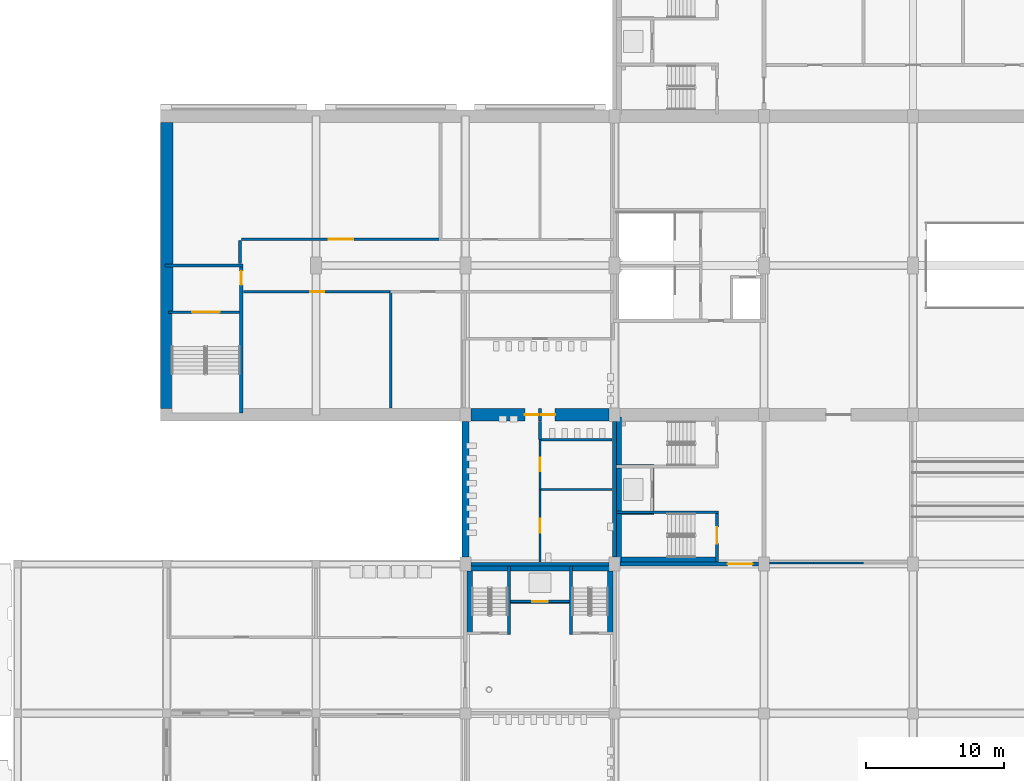
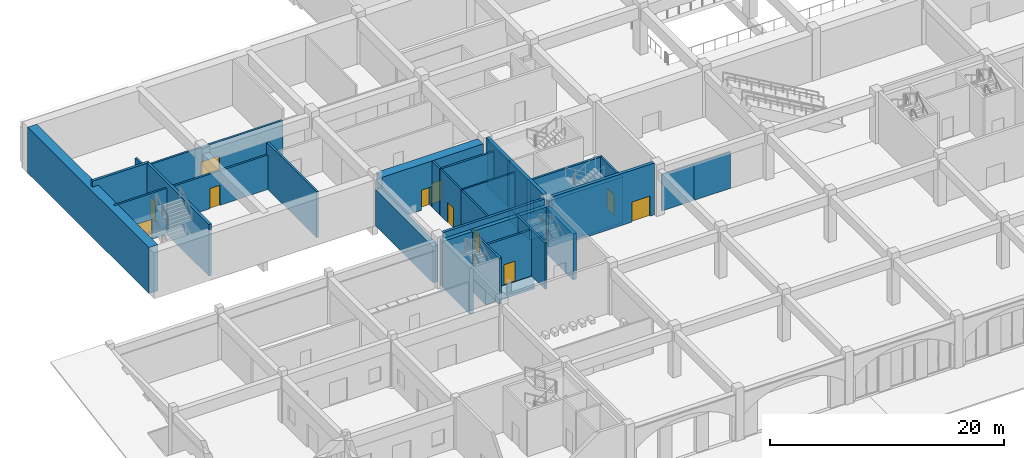
# One storey, part 27 of 101: 36 walls, 11 doors, 11 openings.
"""IFC4 building model written with IfcOpenShell, lengths in metres."""

from ifc_helpers import new_model, si_unit, direction, frame, frame_2d, origin, place, context, subcontext, project, spatial, polyline, rectangle, outline, extrude, material, layer, layer_set, type_object, element, fill, save


model = new_model("IFC4")

# Units and contexts
model_context = context("Model", 3, precision=1e-05, world=origin(), true_north=direction((0.0, 1.0)))
body_context = subcontext(model_context, "Body", "Model", "MODEL_VIEW")
ifc_project = project(units=[si_unit("LENGTHUNIT", "METRE"), si_unit("AREAUNIT", "SQUARE_METRE"), si_unit("VOLUMEUNIT", "CUBIC_METRE"), si_unit("PLANEANGLEUNIT", "RADIAN"), si_unit("MASSUNIT", "GRAM", prefix="KILO")], contexts=[model_context])

# Site, building, storey
site_placement = place(None, origin())
site = spatial("IfcSite", under=ifc_project, at=site_placement, CompositionType="ELEMENT")
building_placement = place(site_placement, origin())
building = spatial("IfcBuilding", under=site, at=building_placement, Name="Magnolia Steps Interchange", CompositionType="ELEMENT")
storey_placement = place(building_placement, frame((0.0, 0.0, -5.39990234375)))
storey = spatial("IfcBuildingStorey", under=building, at=storey_placement, Name="B1", CompositionType="ELEMENT", Elevation=-5.39990234375)

# Wall
ifc_material_1 = material(Name="Concrete C40", Category="concrete")
ifc_layer_1 = layer(ifc_material_1, 0.5)
ifc_layer_set_1 = layer_set([ifc_layer_1], Name="Concrete C40 plinth retaining wall 500")
wall_type_1 = type_object("IfcWallType", Name="Concrete C40 plinth retaining wall 500", PredefinedType="SOLIDWALL", material=ifc_layer_set_1)
wall_1_placement = place(storey_placement, frame((42.39990234375, 42.89990234375, 0.0), z_axis=(0.0, 0.0, 1.0), x_axis=(0.0, 1.0, 0.0)))
element("IfcWall", 1, at=wall_1_placement, inside=storey, type_object=wall_type_1, Name="Concourse west retaining wall", PredefinedType="SOLIDWALL", context=body_context, shape_type="SweptSolid", body=[
    extrude(rectangle(XDim=9.800048828125, YDim=0.5, at=frame_2d((4.89990234375, 0.0))), origin(), (0.0, 0.0, 1.0), 3.7998046875),
])

# Wall, opening, door
ifc_material_2 = material(Name="Concrete C35", Category="concrete")
ifc_layer_2 = layer(ifc_material_2, 0.199951171875)
ifc_layer_set_2 = layer_set([ifc_layer_2], Name="Core enclosure wall 200")
wall_type_2 = type_object("IfcWallType", Name="Core enclosure wall 200", PredefinedType="SOLIDWALL", material=ifc_layer_set_2)
wall_2_placement = place(storey_placement, frame((60.60009765625, 42.550048828125, 0.0), z_axis=(0.0, 0.0, 1.0), x_axis=(0.0, 1.0, 0.0)))
wall_2 = element("IfcWall", 2, at=wall_2_placement, inside=storey, type_object=wall_type_2, Name="B1 HC3 enclosure wall", PredefinedType="SOLIDWALL", context=body_context, shape_type="SweptSolid", body=[
    extrude(rectangle(XDim=3.5, YDim=0.199951171875, at=frame_2d((1.75, 0.0))), origin(), (0.0, 0.0, 1.0), 4.7998046875),
])
opening_1_placement = place(wall_2_placement, frame((1.324951171875, 0.0, 0.0)))
opening_1 = element("IfcOpeningElement", 3, at=opening_1_placement, cuts=wall_2, Name="Opening D-HC3-B1-1", PredefinedType="OPENING", context=body_context, shape_type="SweptSolid", body=[
    extrude(rectangle(XDim=1.199951171875, YDim=2.10009765625, at=frame_2d((0.60009765625, 1.050048828125))), frame((0.0, 0.10986328125, 0.0), z_axis=(0.0, -1.0, 0.0), x_axis=(1.0, 0.0, 0.0)), (0.0, 0.0, 1.0), 0.219970703125),
])
ifc_material_3 = material(Name="Painted steel", Category="steel")
door_type_1 = type_object("IfcDoorType", Name="Stair fire door 1200x2100", OperationType="NOTDEFINED", PredefinedType="DOOR", material=ifc_material_3)
door_1_placement = place(opening_1_placement, frame((1.199951171875, 0.0, 0.0), z_axis=(0.0, 0.0, 1.0), x_axis=(-1.0, 0.0, 0.0)))
door_1 = element("IfcDoor", 4, at=door_1_placement, inside=storey, type_object=door_type_1, Name="Stair door ST5 B1", OperationType="SINGLE_SWING_LEFT", OverallHeight=2.10009765625, OverallWidth=1.199951171875, PredefinedType="DOOR", context=body_context, shape_type="SweptSolid", body=[
    extrude(rectangle(XDim=1.199951171875, YDim=2.10009765625, at=frame_2d((0.60009765625, 1.050048828125))), frame((0.0, 0.02490234375, 0.0), z_axis=(0.0, -1.0, 0.0), x_axis=(1.0, 0.0, 0.0)), (0.0, 0.0, 1.0), 0.050048828125),
])
fill(opening_1, door_1)

# Wall
wall_3_placement = place(storey_placement, frame((60.699951171875, 46.14990234375, 0.0), z_axis=(0.0, 0.0, 1.0), x_axis=(-1.0, 0.0, 0.0)))
element("IfcWall", 5, at=wall_3_placement, inside=storey, type_object=wall_type_2, Name="B1 HC3 enclosure wall", PredefinedType="SOLIDWALL", context=body_context, shape_type="SweptSolid", body=[
    extrude(rectangle(XDim=7.349853515625, YDim=0.199951171875, at=frame_2d((3.6748046875, 0.0))), origin(), (0.0, 0.0, 1.0), 4.7998046875),
])

# Wall, opening, door
wall_4_placement = place(storey_placement, frame((26.074951171875, 60.625, 0.0), z_axis=(0.0, 0.0, 1.0), x_axis=(-1.0, 0.0, 0.0)))
wall_4 = element("IfcWall", 6, at=wall_4_placement, inside=storey, type_object=wall_type_2, Name="B1 BE-W enclosure wall", PredefinedType="SOLIDWALL", context=body_context, shape_type="SweptSolid", body=[
    extrude(rectangle(XDim=5.14990234375, YDim=0.199951171875, at=frame_2d((2.574951171875, 0.0))), origin(), (0.0, 0.0, 1.0), 4.7998046875),
])
opening_2_placement = place(wall_4_placement, frame((1.449951171875, 0.0, 0.0)))
opening_2 = element("IfcOpeningElement", 7, at=opening_2_placement, cuts=wall_4, Name="Opening D-BE-W-B1-1", PredefinedType="OPENING", context=body_context, shape_type="SweptSolid", body=[
    extrude(rectangle(XDim=2.0, YDim=2.10009765625, at=frame_2d((1.0, 1.050048828125))), frame((0.0, 0.10986328125, 0.0), z_axis=(0.0, -1.0, 0.0), x_axis=(1.0, 0.0, 0.0)), (0.0, 0.0, 1.0), 0.219970703125),
])
ifc_material_4 = material(Name="Painted steel", Category="steel")
door_type_2 = type_object("IfcDoorType", Name="Stair fire door pair 2000x2100", OperationType="DOUBLE_DOOR_DOUBLE_SWING", PredefinedType="DOOR", material=ifc_material_4)
door_2_placement = place(opening_2_placement, frame((2.0, 0.0, 0.0), z_axis=(0.0, 0.0, 1.0), x_axis=(-1.0, 0.0, 0.0)))
door_2 = element("IfcDoor", 8, at=door_2_placement, inside=storey, type_object=door_type_2, Name="Stair door ST15 B1", OperationType="DOUBLE_DOOR_DOUBLE_SWING", OverallHeight=2.10009765625, OverallWidth=2.0, PredefinedType="DOOR", context=body_context, shape_type="SweptSolid", body=[
    extrude(rectangle(XDim=2.0, YDim=2.10009765625, at=frame_2d((1.0, 1.050048828125))), frame((0.0, 0.02490234375, 0.0), z_axis=(0.0, -1.0, 0.0), x_axis=(1.0, 0.0, 0.0)), (0.0, 0.0, 1.0), 0.050048828125),
])
fill(opening_2, door_2)

# Wall
wall_5_placement = place(storey_placement, frame((45.550048828125, 37.300048828125, 0.0), z_axis=(0.0, 0.0, 1.0), x_axis=(0.0, 1.0, 0.0)))
element("IfcWall", 9, at=wall_5_placement, inside=storey, type_object=wall_type_2, Name="B1 BC1 enclosure wall", PredefinedType="SOLIDWALL", context=body_context, shape_type="SweptSolid", body=[
    extrude(rectangle(XDim=4.974853515625, YDim=0.199951171875, at=frame_2d((2.4873046875, 0.0))), origin(), (0.0, 0.0, 1.0), 4.7998046875),
])

# Wall, opening, door
wall_6_placement = place(storey_placement, frame((45.64990234375, 39.699951171875, 0.0), z_axis=(0.0, 0.0, 1.0), x_axis=(1.0, 0.0, 0.0)))
wall_6 = element("IfcWall", 10, at=wall_6_placement, inside=storey, type_object=wall_type_2, Name="B1 BC1 enclosure wall", PredefinedType="SOLIDWALL", context=body_context, shape_type="SweptSolid", body=[
    extrude(rectangle(XDim=4.300048828125, YDim=0.199951171875, at=frame_2d((2.14990234375, 0.0))), origin(), (0.0, 0.0, 1.0), 4.7998046875),
])
opening_3_placement = place(wall_6_placement, frame((1.60009765625, 0.0, 0.0)))
opening_3 = element("IfcOpeningElement", 11, at=opening_3_placement, cuts=wall_6, Name="Opening LD", PredefinedType="OPENING", context=body_context, shape_type="SweptSolid", body=[
    extrude(rectangle(XDim=1.10009765625, YDim=2.10009765625, at=frame_2d((0.550048828125, 1.050048828125))), frame((0.0, 0.10986328125, 0.0), z_axis=(0.0, -1.0, 0.0), x_axis=(1.0, 0.0, 0.0)), (0.0, 0.0, 1.0), 0.219970703125),
])
ifc_material_5 = material(Name="Stainless steel grade 304", Category="steel")
door_type_3 = type_object("IfcDoorType", Name="Lift landing door 1100x2100", OperationType="DOUBLE_DOOR_SLIDING", PredefinedType="DOOR", material=ifc_material_5)
door_3_placement = place(opening_3_placement, frame((1.10009765625, 0.0, 0.0), z_axis=(0.0, 0.0, 1.0), x_axis=(-1.0, 0.0, 0.0)))
door_3 = element("IfcDoor", 12, at=door_3_placement, inside=storey, type_object=door_type_3, Name="Lift landing door LF8 B1", OperationType="DOUBLE_DOOR_SLIDING", OverallHeight=2.10009765625, OverallWidth=1.10009765625, PredefinedType="DOOR", context=body_context, shape_type="SweptSolid", body=[
    extrude(rectangle(XDim=1.10009765625, YDim=2.10009765625, at=frame_2d((0.550048828125, 1.050048828125))), frame((0.0, 0.02490234375, 0.0), z_axis=(0.0, -1.0, 0.0), x_axis=(1.0, 0.0, 0.0)), (0.0, 0.0, 1.0), 0.050048828125),
])
fill(opening_3, door_3)

# Walls
wall_7_placement = place(storey_placement, frame((50.050048828125, 37.300048828125, 0.0), z_axis=(0.0, 0.0, 1.0), x_axis=(0.0, 1.0, 0.0)))
element("IfcWall", 13, at=wall_7_placement, inside=storey, type_object=wall_type_2, Name="B1 BC1 enclosure wall", PredefinedType="SOLIDWALL", context=body_context, shape_type="SweptSolid", body=[
    extrude(rectangle(XDim=4.974853515625, YDim=0.199951171875, at=frame_2d((2.4873046875, 0.0))), origin(), (0.0, 0.0, 1.0), 4.7998046875),
])
ifc_material_6 = material(Name="Concrete C35", Category="concrete")
ifc_layer_3 = layer(ifc_material_6, 0.35009765625)
ifc_layer_set_3 = layer_set([ifc_layer_3], Name="Core lining wall 350")
wall_type_3 = type_object("IfcWallType", Name="Core lining wall 350", PredefinedType="SOLIDWALL", material=ifc_layer_set_3)
wall_8_placement = place(storey_placement, frame((60.699951171875, 42.72509765625, 0.0), z_axis=(0.0, 0.0, 1.0), x_axis=(-1.0, 0.0, 0.0)))
element("IfcWall", 14, at=wall_8_placement, inside=storey, type_object=wall_type_3, Name="B1 HC3 stair lining wall", PredefinedType="SOLIDWALL", context=body_context, shape_type="SweptSolid", body=[
    extrude(rectangle(XDim=7.349853515625, YDim=0.35009765625, at=frame_2d((3.6748046875, 0.0))), origin(), (0.0, 0.0, 1.0), 4.7998046875),
])
for number, where, z_axis, x_axis, name in (
    (15, (53.52490234375, 42.550048828125, 0.0), (0.0, 0.0, 1.0), (0.0, 1.0, 0.0), "B1 HC3 stair lining wall"),
    (16, (53.52490234375, 49.550048828125, 0.0), (0.0, 0.0, 1.0), (0.0, 1.0, 0.0), "B1 HC3 stair lining wall"),
):
    element("IfcWall", number, at=place(storey_placement, frame(where, z_axis=z_axis, x_axis=x_axis)), inside=storey, type_object=wall_type_3, Name=name, PredefinedType="SOLIDWALL", context=body_context, shape_type="SweptSolid", body=[
        extrude(rectangle(XDim=3.5, YDim=0.35009765625, at=frame_2d((1.75, 0.0))), origin(), (0.0, 0.0, 1.0), 4.7998046875),
    ])
wall_9_placement = place(storey_placement, frame((53.52490234375, 46.25, 0.0), z_axis=(0.0, 0.0, 1.0), x_axis=(0.0, 1.0, 0.0)))
element("IfcWall", 17, at=wall_9_placement, inside=storey, type_object=wall_type_3, Name="B1 HC3 stair lining wall", PredefinedType="SOLIDWALL", context=body_context, shape_type="SweptSolid", body=[
    extrude(rectangle(XDim=3.10009765625, YDim=0.35009765625, at=frame_2d((1.550048828125, 0.0))), origin(), (0.0, 0.0, 1.0), 4.7998046875),
])
ifc_material_7 = material(Name="Concrete C35", Category="concrete")
ifc_layer_4 = layer(ifc_material_7, 0.375)
ifc_layer_set_4 = layer_set([ifc_layer_4], Name="Core lining wall 375")
wall_type_4 = type_object("IfcWallType", Name="Core lining wall 375", PredefinedType="SOLIDWALL", material=ifc_layer_set_4)
wall_10_placement = place(storey_placement, frame((42.71240234375, 37.300048828125, 0.0), z_axis=(0.0, 0.0, 1.0), x_axis=(0.0, 1.0, 0.0)))
element("IfcWall", 18, at=wall_10_placement, inside=storey, type_object=wall_type_4, Name="B1 BC1 stair lining wall", PredefinedType="SOLIDWALL", context=body_context, shape_type="SweptSolid", body=[
    extrude(rectangle(XDim=4.974853515625, YDim=0.375, at=frame_2d((2.4873046875, 0.0))), origin(), (0.0, 0.0, 1.0), 4.7998046875),
])
wall_11_placement = place(storey_placement, frame((42.52490234375, 42.08740234375, 0.0), z_axis=(0.0, 0.0, 1.0), x_axis=(1.0, 0.0, 0.0)))
element("IfcWall", 19, at=wall_11_placement, inside=storey, type_object=wall_type_4, Name="B1 BC1 stair lining wall", PredefinedType="SOLIDWALL", context=body_context, shape_type="SweptSolid", body=[
    extrude(rectangle(XDim=2.925048828125, YDim=0.375, at=frame_2d((1.46240234375, 0.0))), origin(), (0.0, 0.0, 1.0), 4.7998046875),
])
wall_12_placement = place(storey_placement, frame((52.887451171875, 37.300048828125, 0.0), z_axis=(0.0, 0.0, 1.0), x_axis=(0.0, 1.0, 0.0)))
element("IfcWall", 20, at=wall_12_placement, inside=storey, type_object=wall_type_4, Name="B1 BC1 stair lining wall", PredefinedType="SOLIDWALL", context=body_context, shape_type="SweptSolid", body=[
    extrude(rectangle(XDim=4.974853515625, YDim=0.375, at=frame_2d((2.4873046875, 0.0))), origin(), (0.0, 0.0, 1.0), 4.7998046875),
])
wall_13_placement = place(storey_placement, frame((50.14990234375, 42.08740234375, 0.0), z_axis=(0.0, 0.0, 1.0), x_axis=(1.0, 0.0, 0.0)))
element("IfcWall", 21, at=wall_13_placement, inside=storey, type_object=wall_type_4, Name="B1 BC1 stair lining wall", PredefinedType="SOLIDWALL", context=body_context, shape_type="SweptSolid", body=[
    extrude(rectangle(XDim=2.925048828125, YDim=0.375, at=frame_2d((1.46240234375, 0.0))), origin(), (0.0, 0.0, 1.0), 4.7998046875),
])
wall_14_placement = place(storey_placement, frame((45.64990234375, 42.08740234375, 0.0), z_axis=(0.0, 0.0, 1.0), x_axis=(1.0, 0.0, 0.0)))
element("IfcWall", 22, at=wall_14_placement, inside=storey, type_object=wall_type_4, Name="B1 BC1 stair lining wall", PredefinedType="SOLIDWALL", context=body_context, shape_type="SweptSolid", body=[
    extrude(rectangle(XDim=4.300048828125, YDim=0.375, at=frame_2d((2.14990234375, 0.0))), origin(), (0.0, 0.0, 1.0), 4.7998046875),
])

# Wall, opening, door
ifc_material_8 = material(Name="Concrete C40", Category="concrete")
ifc_layer_5 = layer(ifc_material_8, 0.25)
ifc_layer_set_5 = layer_set([ifc_layer_5], Name="Core wall 250")
wall_type_5 = type_object("IfcWallType", Name="Core wall 250", PredefinedType="SOLIDWALL", material=ifc_layer_set_5)
wall_15_placement = place(storey_placement, frame((26.199951171875, 53.324951171875, 0.0), z_axis=(0.0, 0.0, 1.0), x_axis=(0.0, 1.0, 0.0)))
wall_15 = element("IfcWall", 23, at=wall_15_placement, inside=storey, type_object=wall_type_5, Name="Core wall BE-W", PredefinedType="SOLIDWALL", context=body_context, shape_type="SweptSolid", body=[
    extrude(rectangle(XDim=10.550048828125, YDim=0.25, at=frame_2d((5.27490234375, 0.0))), origin(), (0.0, 0.0, 1.0), 5.39990234375),
])
opening_4_placement = place(wall_15_placement, frame((9.27490234375, 0.0, 0.0)))
opening_4 = element("IfcOpeningElement", 24, at=opening_4_placement, cuts=wall_15, Name="Opening D-BE-W-B1-2", PredefinedType="OPENING", context=body_context, shape_type="SweptSolid", body=[
    extrude(rectangle(XDim=1.0, YDim=2.10009765625, at=frame_2d((0.5, 1.050048828125))), frame((0.0, 0.135009765625, 0.0), z_axis=(0.0, -1.0, 0.0), x_axis=(1.0, 0.0, 0.0)), (0.0, 0.0, 1.0), 0.27001953125),
])
ifc_material_9 = material(Name="Timber and glass", Category="wood")
door_type_4 = type_object("IfcDoorType", Name="Core entrance door 1000x2100", OperationType="NOTDEFINED", PredefinedType="DOOR", material=ifc_material_9)
door_4_placement = place(opening_4_placement, frame((1.0, 0.0, 0.0), z_axis=(0.0, 0.0, 1.0), x_axis=(-1.0, 0.0, 0.0)))
door_4 = element("IfcDoor", 25, at=door_4_placement, inside=storey, type_object=door_type_4, Name="Core entrance door BE-W B1", OperationType="SINGLE_SWING_LEFT", OverallHeight=2.10009765625, OverallWidth=1.0, PredefinedType="DOOR", context=body_context, shape_type="SweptSolid", body=[
    extrude(rectangle(XDim=1.0, YDim=2.10009765625, at=frame_2d((0.5, 1.050048828125))), frame((0.0, 0.02490234375, 0.0), z_axis=(0.0, -1.0, 0.0), x_axis=(1.0, 0.0, 0.0)), (0.0, 0.0, 1.0), 0.050048828125),
])
fill(opening_4, door_4)

# Walls
wall_16_placement = place(storey_placement, frame((26.324951171875, 64.0, 0.0), z_axis=(0.0, 0.0, 1.0), x_axis=(-1.0, 0.0, 0.0)))
element("IfcWall", 26, at=wall_16_placement, inside=storey, type_object=wall_type_5, Name="Core wall BE-W", PredefinedType="SOLIDWALL", context=body_context, shape_type="SweptSolid", body=[
    extrude(rectangle(XDim=5.64990234375, YDim=0.25, at=frame_2d((2.824951171875, 0.0))), origin(), (0.0, 0.0, 1.0), 5.39990234375),
])
wall_17_placement = place(storey_placement, frame((52.800048828125, 42.39990234375, 0.0), z_axis=(0.0, 0.0, 1.0), x_axis=(-1.0, 0.0, 0.0)))
element("IfcWall", 27, at=wall_17_placement, inside=storey, type_object=wall_type_5, Name="Core wall BC1", PredefinedType="SOLIDWALL", context=body_context, shape_type="SweptSolid", body=[
    extrude(rectangle(XDim=10.0, YDim=0.25, at=frame_2d((5.0, 0.0))), origin(), (0.0, 0.0, 1.0), 5.39990234375),
])

# Wall, opening, door
ifc_material_10 = material(Name="Concrete C40", Category="concrete")
ifc_layer_6 = layer(ifc_material_10, 0.300048828125)
ifc_layer_set_6 = layer_set([ifc_layer_6], Name="Core wall 300")
wall_type_6 = type_object("IfcWallType", Name="Core wall 300", PredefinedType="SOLIDWALL", material=ifc_layer_set_6)
wall_18_placement = place(storey_placement, frame((53.60009765625, 42.39990234375, 0.0), z_axis=(0.0, 0.0, 1.0), x_axis=(1.0, 0.0, 0.0)))
wall_18 = element("IfcWall", 28, at=wall_18_placement, inside=storey, type_object=wall_type_6, Name="Core wall HC3", PredefinedType="SOLIDWALL", context=body_context, shape_type="SweptSolid", body=[
    extrude(rectangle(XDim=10.0, YDim=0.300048828125, at=frame_2d((5.0, 0.0))), origin(), (0.0, 0.0, 1.0), 5.39990234375),
])
opening_5_placement = place(wall_18_placement, frame((7.77490234375, 0.0, 0.0)))
opening_5 = element("IfcOpeningElement", 29, at=opening_5_placement, cuts=wall_18, Name="Opening D-HC3-B1-3", PredefinedType="OPENING", context=body_context, shape_type="SweptSolid", body=[
    extrude(rectangle(XDim=1.800048828125, YDim=2.10009765625, at=frame_2d((0.89990234375, 1.050048828125))), frame((0.0, 0.159912109375, 0.0), z_axis=(0.0, -1.0, 0.0), x_axis=(1.0, 0.0, 0.0)), (0.0, 0.0, 1.0), 0.320068359375),
])
ifc_material_11 = material(Name="Timber and glass", Category="wood")
door_type_5 = type_object("IfcDoorType", Name="Core entrance door pair 1800x2100", OperationType="DOUBLE_DOOR_DOUBLE_SWING", PredefinedType="DOOR", material=ifc_material_11)
door_5_placement = place(opening_5_placement, frame((1.800048828125, 0.0, 0.0), z_axis=(0.0, 0.0, 1.0), x_axis=(-1.0, 0.0, 0.0)))
door_5 = element("IfcDoor", 30, at=door_5_placement, inside=storey, type_object=door_type_5, Name="Core entrance door HC3 B1", OperationType="DOUBLE_DOOR_DOUBLE_SWING", OverallHeight=2.10009765625, OverallWidth=1.800048828125, PredefinedType="DOOR", context=body_context, shape_type="SweptSolid", body=[
    extrude(rectangle(XDim=1.800048828125, YDim=2.10009765625, at=frame_2d((0.89990234375, 1.050048828125))), frame((0.0, 0.02490234375, 0.0), z_axis=(0.0, -1.0, 0.0), x_axis=(1.0, 0.0, 0.0)), (0.0, 0.0, 1.0), 0.050048828125),
])
fill(opening_5, door_5)

# Wall
wall_19_placement = place(storey_placement, frame((53.199951171875, 52.699951171875, 0.0), z_axis=(0.0, 0.0, 1.0), x_axis=(0.0, -1.0, 0.0)))
element("IfcWall", 31, at=wall_19_placement, inside=storey, type_object=wall_type_6, Name="Core wall HC3", PredefinedType="SOLIDWALL", context=body_context, shape_type="SweptSolid", body=[
    extrude(rectangle(XDim=9.800048828125, YDim=0.300048828125, at=frame_2d((4.89990234375, 0.0))), origin(), (0.0, 0.0, 1.0), 5.39990234375),
])

# Wall, openings, doors
ifc_material_12 = material(Name="Concrete C40", Category="concrete")
ifc_layer_7 = layer(ifc_material_12, 0.89990234375)
ifc_layer_set_7 = layer_set([ifc_layer_7], Name="Diaphragm wall 900")
wall_type_7 = type_object("IfcWallType", Name="Diaphragm wall 900", PredefinedType="SOLIDWALL", material=ifc_layer_set_7)
wall_20_placement = place(storey_placement, frame((42.800048828125, 53.199951171875, 0.0), z_axis=(0.0, 0.0, 1.0), x_axis=(1.0, 0.0, 0.0)))
wall_20 = element("IfcWall", 32, at=wall_20_placement, inside=storey, type_object=wall_type_7, Name="Metro box wall S", PredefinedType="SOLIDWALL", context=body_context, shape_type="SweptSolid", body=[
    extrude(rectangle(XDim=10.0, YDim=0.89990234375, at=frame_2d((5.0, 0.0))), origin(), (0.0, 0.0, 1.0), 4.7998046875),
])
opening_6_placement = place(wall_20_placement, frame((3.89990234375, 0.0, 0.0)))
opening_6 = element("IfcOpeningElement", 33, at=opening_6_placement, cuts=wall_20, Name="Opening D-B1-12", PredefinedType="OPENING", context=body_context, shape_type="SweptSolid", body=[
    extrude(rectangle(XDim=1.0, YDim=2.10009765625, at=frame_2d((0.5, 1.050048828125))), frame((0.0, 0.4599609375, 0.0), z_axis=(0.0, -1.0, 0.0), x_axis=(1.0, 0.0, 0.0)), (0.0, 0.0, 1.0), 0.919921875),
])
opening_7_placement = place(wall_20_placement, frame((5.10009765625, 0.0, 0.0)))
opening_7 = element("IfcOpeningElement", 34, at=opening_7_placement, cuts=wall_20, Name="Opening D-B1-15", PredefinedType="OPENING", context=body_context, shape_type="SweptSolid", body=[
    extrude(rectangle(XDim=1.0, YDim=2.10009765625, at=frame_2d((0.5, 1.050048828125))), frame((0.0, 0.4599609375, 0.0), z_axis=(0.0, -1.0, 0.0), x_axis=(1.0, 0.0, 0.0)), (0.0, 0.0, 1.0), 0.919921875),
])
ifc_material_13 = material(Name="Painted steel", Category="steel")
door_type_6 = type_object("IfcDoorType", Name="Plant room door 1000x2100", OperationType="NOTDEFINED", PredefinedType="DOOR", material=ifc_material_13)
door_6_placement = place(opening_7_placement, frame((1.0, 0.0, 0.0), z_axis=(0.0, 0.0, 1.0), x_axis=(-1.0, 0.0, 0.0)))
door_6 = element("IfcDoor", 35, at=door_6_placement, inside=storey, type_object=door_type_6, Name="Toilet Cleaners' Store door", OperationType="SINGLE_SWING_LEFT", OverallHeight=2.10009765625, OverallWidth=1.0, PredefinedType="DOOR", context=body_context, shape_type="SweptSolid", body=[
    extrude(rectangle(XDim=1.0, YDim=2.10009765625, at=frame_2d((0.5, 1.050048828125))), frame((0.0, 0.02490234375, 0.0), z_axis=(0.0, -1.0, 0.0), x_axis=(1.0, 0.0, 0.0)), (0.0, 0.0, 1.0), 0.050048828125),
])
fill(opening_7, door_6)
ifc_material_14 = material(Name="Timber", Category="wood")
door_type_7 = type_object("IfcDoorType", Name="Room door 1000x2100", OperationType="NOTDEFINED", PredefinedType="DOOR", material=ifc_material_14)
door_7_placement = place(opening_6_placement, frame((1.0, 0.0, 0.0), z_axis=(0.0, 0.0, 1.0), x_axis=(-1.0, 0.0, 0.0)))
door_7 = element("IfcDoor", 36, at=door_7_placement, inside=storey, type_object=door_type_7, Name="Public Toilets door", OperationType="SINGLE_SWING_RIGHT", OverallHeight=2.10009765625, OverallWidth=1.0, PredefinedType="DOOR", context=body_context, shape_type="SweptSolid", body=[
    extrude(rectangle(XDim=1.0, YDim=2.10009765625, at=frame_2d((0.5, 1.050048828125))), frame((0.0, 0.02490234375, 0.0), z_axis=(0.0, -1.0, 0.0), x_axis=(1.0, 0.0, 0.0)), (0.0, 0.0, 1.0), 0.050048828125),
])
fill(opening_6, door_7)

# Wall
wall_21_placement = place(storey_placement, frame((20.800048828125, 74.35009765625, 0.0), z_axis=(0.0, 0.0, 1.0), x_axis=(0.0, -1.0, 0.0)))
element("IfcWall", 37, at=wall_21_placement, inside=storey, type_object=wall_type_7, Name="Metro box wall W", PredefinedType="SOLIDWALL", context=body_context, shape_type="SweptSolid", body=[
    extrude(rectangle(XDim=20.7001953125, YDim=0.89990234375, at=frame_2d((10.35009765625, 0.0))), origin(), (0.0, 0.0, 1.0), 4.7998046875),
])

# Wall, opening, door
ifc_material_15 = material(Name="Fair-faced blockwork", Category="masonry")
ifc_layer_8 = layer(ifc_material_15, 0.199951171875)
ifc_layer_set_8 = layer_set([ifc_layer_8], Name="Fire partition wall 200")
wall_type_8 = type_object("IfcWallType", Name="Fire partition wall 200", PredefinedType="PARTITIONING", material=ifc_layer_set_8)
wall_22_placement = place(storey_placement, frame((26.35498046875, 62.10009765625, 0.0), z_axis=(0.0, 0.0, 1.0), x_axis=(1.0, 0.0, 0.0)))
wall_22 = element("IfcWall", 38, at=wall_22_placement, inside=storey, type_object=wall_type_8, Name="B1 partition 2", PredefinedType="PARTITIONING", context=body_context, shape_type="SweptSolid", body=[
    extrude(rectangle(XDim=10.64501953125, YDim=0.199951171875, at=frame_2d((5.322509765625, 0.0))), origin(), (0.0, 0.0, 1.0), 3.599853515625),
])
opening_8_placement = place(wall_22_placement, frame((4.822509765625, 0.0, 0.0)))
opening_8 = element("IfcOpeningElement", 39, at=opening_8_placement, cuts=wall_22, Name="Opening D-B1-1", PredefinedType="OPENING", context=body_context, shape_type="SweptSolid", body=[
    extrude(rectangle(XDim=1.0, YDim=2.10009765625, at=frame_2d((0.5, 1.050048828125))), frame((0.0, 0.10986328125, 0.0), z_axis=(0.0, -1.0, 0.0), x_axis=(1.0, 0.0, 0.0)), (0.0, 0.0, 1.0), 0.219970703125),
])
door_8_placement = place(opening_8_placement, frame((1.0, 0.0, 0.0), z_axis=(0.0, 0.0, 1.0), x_axis=(-1.0, 0.0, 0.0)))
door_8 = element("IfcDoor", 40, at=door_8_placement, inside=storey, type_object=door_type_6, Name="Fare Equipment Room door", OperationType="SINGLE_SWING_LEFT", OverallHeight=2.10009765625, OverallWidth=1.0, PredefinedType="DOOR", context=body_context, shape_type="SweptSolid", body=[
    extrude(rectangle(XDim=1.0, YDim=2.10009765625, at=frame_2d((0.5, 1.050048828125))), frame((0.0, 0.02490234375, 0.0), z_axis=(0.0, -1.0, 0.0), x_axis=(1.0, 0.0, 0.0)), (0.0, 0.0, 1.0), 0.050048828125),
])
fill(opening_8, door_8)

# Wall
wall_23_placement = place(storey_placement, frame((26.10009765625, 64.155029296875, 0.0), z_axis=(0.0, 0.0, 1.0), x_axis=(0.0, 1.0, 0.0)))
element("IfcWall", 41, at=wall_23_placement, inside=storey, type_object=wall_type_8, Name="B1 partition 4", PredefinedType="PARTITIONING", context=body_context, shape_type="SweptSolid", body=[
    extrude(rectangle(XDim=1.64501953125, YDim=0.199951171875, at=frame_2d((0.822509765625, 0.0))), origin(), (0.0, 0.0, 1.0), 4.7998046875),
])

# Wall, opening, door
wall_24_placement = place(storey_placement, frame((26.199951171875, 65.89990234375, 0.0), z_axis=(0.0, 0.0, 1.0), x_axis=(1.0, 0.0, 0.0)))
wall_24 = element("IfcWall", 42, at=wall_24_placement, inside=storey, type_object=wall_type_8, Name="B1 partition 5", PredefinedType="PARTITIONING", context=body_context, shape_type="SweptSolid", body=[
    extrude(rectangle(XDim=14.400146484375, YDim=0.199951171875, at=frame_2d((7.2001953125, 0.0))), origin(), (0.0, 0.0, 1.0), 3.599853515625),
])
opening_9_placement = place(wall_24_placement, frame((6.300048828125, 0.0, 0.0)))
opening_9 = element("IfcOpeningElement", 43, at=opening_9_placement, cuts=wall_24, Name="Opening D-B1-4", PredefinedType="OPENING", context=body_context, shape_type="SweptSolid", body=[
    extrude(rectangle(XDim=1.800048828125, YDim=2.10009765625, at=frame_2d((0.89990234375, 1.050048828125))), frame((0.0, 0.10986328125, 0.0), z_axis=(0.0, -1.0, 0.0), x_axis=(1.0, 0.0, 0.0)), (0.0, 0.0, 1.0), 0.219970703125),
])
ifc_material_16 = material(Name="Painted steel", Category="steel")
door_type_8 = type_object("IfcDoorType", Name="Plant room door pair 1800x2100", OperationType="DOUBLE_DOOR_DOUBLE_SWING", PredefinedType="DOOR", material=ifc_material_16)
door_9_placement = place(opening_9_placement, origin())
door_9 = element("IfcDoor", 44, at=door_9_placement, inside=storey, type_object=door_type_8, Name="Station Control Room door", OperationType="DOUBLE_DOOR_DOUBLE_SWING", OverallHeight=2.10009765625, OverallWidth=1.800048828125, PredefinedType="DOOR", context=body_context, shape_type="SweptSolid", body=[
    extrude(rectangle(XDim=1.800048828125, YDim=2.10009765625, at=frame_2d((0.89990234375, 1.050048828125))), frame((0.0, 0.02490234375, 0.0), z_axis=(0.0, -1.0, 0.0), x_axis=(1.0, 0.0, 0.0)), (0.0, 0.0, 1.0), 0.050048828125),
])
fill(opening_9, door_9)

# Walls
wall_25_placement = place(storey_placement, frame((37.0, 53.679931640625, 0.0), z_axis=(0.0, 0.0, 1.0), x_axis=(0.0, 1.0, 0.0)))
element("IfcWall", 45, at=wall_25_placement, inside=storey, type_object=wall_type_8, Name="B1 partition 8", PredefinedType="PARTITIONING", context=body_context, shape_type="SweptSolid", body=[
    extrude(rectangle(XDim=8.52001953125, YDim=0.199951171875, at=frame_2d((4.260009765625, 0.0))), origin(), (0.0, 0.0, 1.0), 4.7998046875),
])
wall_26_placement = place(storey_placement, frame((47.800048828125, 51.39990234375, 0.0), z_axis=(0.0, 0.0, 1.0), x_axis=(0.0, 1.0, 0.0)))
element("IfcWall", 46, at=wall_26_placement, inside=storey, type_object=wall_type_8, Name="B1 partition 29", PredefinedType="PARTITIONING", context=body_context, shape_type="SweptSolid", body=[
    extrude(rectangle(XDim=1.320068359375, YDim=0.199951171875, at=frame_2d((0.66015625, 0.0))), origin(), (0.0, 0.0, 1.0), 4.7998046875),
])
wall_27_placement = place(storey_placement, frame((47.800048828125, 51.39990234375, 0.0), z_axis=(0.0, 0.0, 1.0), x_axis=(1.0, 0.0, 0.0)))
element("IfcWall", 47, at=wall_27_placement, inside=storey, type_object=wall_type_8, Name="B1 partition 31", PredefinedType="PARTITIONING", context=body_context, shape_type="SweptSolid", body=[
    extrude(rectangle(XDim=5.219970703125, YDim=0.199951171875, at=frame_2d((2.60986328125, 0.0))), origin(), (0.0, 0.0, 1.0), 4.7998046875),
])
ifc_material_17 = material(Name="Concrete C40", Category="concrete")
ifc_layer_9 = layer(ifc_material_17, 0.25)
ifc_layer_set_9 = layer_set([ifc_layer_9], Name="Lift pit wall 250")
wall_type_9 = type_object("IfcWallType", Name="Lift pit wall 250", PredefinedType="SOLIDWALL", material=ifc_layer_set_9)
wall_28_placement = place(storey_placement, frame((0.0, 0.0, -1.400146484375)))
element("IfcWall", 48, at=wall_28_placement, inside=storey, type_object=wall_type_9, Name="Lift pit wall BC1", PredefinedType="SOLIDWALL", context=body_context, shape_type="SweptSolid", body=[
    extrude(outline(polyline([(45.39990234375, 39.550048828125), (50.199951171875, 39.550048828125), (50.199951171875, 42.14990234375), (45.39990234375, 42.14990234375), (45.39990234375, 39.550048828125)]), holes=[polyline([(49.949951171875, 39.800048828125), (49.949951171875, 41.89990234375), (45.64990234375, 41.89990234375), (45.64990234375, 39.800048828125), (49.949951171875, 39.800048828125)])]), origin(), (0.0, 0.0, 1.0), 1.400146484375),
])
wall_29_placement = place(storey_placement, frame((0.0, 0.0, -1.400146484375)))
element("IfcWall", 49, at=wall_29_placement, inside=storey, type_object=wall_type_9, Name="Lift pit wall HC3", PredefinedType="SOLIDWALL", context=body_context, shape_type="SweptSolid", body=[
    extrude(outline(polyline([(56.050048828125, 46.0), (56.050048828125, 49.60009765625), (53.449951171875, 49.60009765625), (53.449951171875, 46.0), (56.050048828125, 46.0)]), holes=[polyline([(55.800048828125, 49.35009765625), (53.699951171875, 49.35009765625), (53.699951171875, 46.25), (55.800048828125, 46.25), (55.800048828125, 49.35009765625)])]), origin(), (0.0, 0.0, 1.0), 1.400146484375),
])

# Wall, opening, door
ifc_material_18 = material(Name="Fair-faced blockwork", Category="masonry")
ifc_layer_10 = layer(ifc_material_18, 0.14990234375)
ifc_layer_set_10 = layer_set([ifc_layer_10], Name="Partition wall 150")
wall_type_10 = type_object("IfcWallType", Name="Partition wall 150", PredefinedType="PARTITIONING", material=ifc_layer_set_10)
wall_30_placement = place(storey_placement, frame((47.800048828125, 42.554931640625, 0.0), z_axis=(0.0, 0.0, 1.0), x_axis=(0.0, 1.0, 0.0)))
wall_30 = element("IfcWall", 50, at=wall_30_placement, inside=storey, type_object=wall_type_10, Name="B1 partition 27", PredefinedType="PARTITIONING", context=body_context, shape_type="SweptSolid", body=[
    extrude(rectangle(XDim=5.2451171875, YDim=0.14990234375, at=frame_2d((2.62255859375, 0.0))), origin(), (0.0, 0.0, 1.0), 4.7998046875),
])
opening_10_placement = place(wall_30_placement, frame((2.12255859375, 0.0, 0.0)))
opening_10 = element("IfcOpeningElement", 51, at=opening_10_placement, cuts=wall_30, Name="Opening D-B1-13", PredefinedType="OPENING", context=body_context, shape_type="SweptSolid", body=[
    extrude(rectangle(XDim=1.0, YDim=2.10009765625, at=frame_2d((0.5, 1.050048828125))), frame((0.0, 0.0849609375, 0.0), z_axis=(0.0, -1.0, 0.0), x_axis=(1.0, 0.0, 0.0)), (0.0, 0.0, 1.0), 0.169921875),
])
door_10_placement = place(opening_10_placement, frame((1.0, 0.0, 0.0), z_axis=(0.0, 0.0, 1.0), x_axis=(-1.0, 0.0, 0.0)))
door_10 = element("IfcDoor", 52, at=door_10_placement, inside=storey, type_object=door_type_7, Name="Accessible Toilet door", OperationType="SINGLE_SWING_RIGHT", OverallHeight=2.10009765625, OverallWidth=1.0, PredefinedType="DOOR", context=body_context, shape_type="SweptSolid", body=[
    extrude(rectangle(XDim=1.0, YDim=2.10009765625, at=frame_2d((0.5, 1.050048828125))), frame((0.0, 0.02490234375, 0.0), z_axis=(0.0, -1.0, 0.0), x_axis=(1.0, 0.0, 0.0)), (0.0, 0.0, 1.0), 0.050048828125),
])
fill(opening_10, door_10)

wall_31_placement = place(storey_placement, frame((47.800048828125, 47.800048828125, 0.0), z_axis=(0.0, 0.0, 1.0), x_axis=(0.0, 1.0, 0.0)))
wall_31 = element("IfcWall", 53, at=wall_31_placement, inside=storey, type_object=wall_type_10, Name="B1 partition 28", PredefinedType="PARTITIONING", context=body_context, shape_type="SweptSolid", body=[
    extrude(rectangle(XDim=3.599853515625, YDim=0.14990234375, at=frame_2d((1.7998046875, 0.0))), origin(), (0.0, 0.0, 1.0), 4.7998046875),
])
opening_11_placement = place(wall_31_placement, frame((1.300048828125, 0.0, 0.0)))
opening_11 = element("IfcOpeningElement", 54, at=opening_11_placement, cuts=wall_31, Name="Opening D-B1-14", PredefinedType="OPENING", context=body_context, shape_type="SweptSolid", body=[
    extrude(rectangle(XDim=1.0, YDim=2.10009765625, at=frame_2d((0.5, 1.050048828125))), frame((0.0, 0.0849609375, 0.0), z_axis=(0.0, -1.0, 0.0), x_axis=(1.0, 0.0, 0.0)), (0.0, 0.0, 1.0), 0.169921875),
])
door_11_placement = place(opening_11_placement, frame((1.0, 0.0, 0.0), z_axis=(0.0, 0.0, 1.0), x_axis=(-1.0, 0.0, 0.0)))
door_11 = element("IfcDoor", 55, at=door_11_placement, inside=storey, type_object=door_type_7, Name="Baby Change Room door", OperationType="SINGLE_SWING_RIGHT", OverallHeight=2.10009765625, OverallWidth=1.0, PredefinedType="DOOR", context=body_context, shape_type="SweptSolid", body=[
    extrude(rectangle(XDim=1.0, YDim=2.10009765625, at=frame_2d((0.5, 1.050048828125))), frame((0.0, 0.02490234375, 0.0), z_axis=(0.0, -1.0, 0.0), x_axis=(1.0, 0.0, 0.0)), (0.0, 0.0, 1.0), 0.050048828125),
])
fill(opening_11, door_11)

# Walls
wall_32_placement = place(storey_placement, frame((47.800048828125, 47.800048828125, 0.0), z_axis=(0.0, 0.0, 1.0), x_axis=(1.0, 0.0, 0.0)))
element("IfcWall", 56, at=wall_32_placement, inside=storey, type_object=wall_type_10, Name="B1 partition 30", PredefinedType="PARTITIONING", context=body_context, shape_type="SweptSolid", body=[
    extrude(rectangle(XDim=5.219970703125, YDim=0.14990234375, at=frame_2d((2.60986328125, 0.0))), origin(), (0.0, 0.0, 1.0), 4.7998046875),
])
wall_33_placement = place(storey_placement, frame((67.60009765625, 42.47509765625, 0.0), z_axis=(0.0, 0.0, 1.0), x_axis=(1.0, 0.0, 0.0)))
element("IfcWall", 57, at=wall_33_placement, inside=storey, type_object=wall_type_10, Name="B1 partition 32", PredefinedType="PARTITIONING", context=body_context, shape_type="SweptSolid", body=[
    extrude(rectangle(XDim=3.599853515625, YDim=0.14990234375, at=frame_2d((1.7998046875, 0.0))), origin(), (0.0, 0.0, 1.0), 3.7998046875),
])
wall_34_placement = place(storey_placement, frame((64.419921875, 42.47509765625, 0.0), z_axis=(0.0, 0.0, 1.0), x_axis=(1.0, 0.0, 0.0)))
element("IfcWall", 58, at=wall_34_placement, inside=storey, type_object=wall_type_10, Name="B1 partition 34", PredefinedType="PARTITIONING", context=body_context, shape_type="SweptSolid", body=[
    extrude(rectangle(XDim=3.18017578125, YDim=0.14990234375, at=frame_2d((1.590087890625, 0.0))), origin(), (0.0, 0.0, 1.0), 3.7998046875),
])

save(model, "model.ifc")
